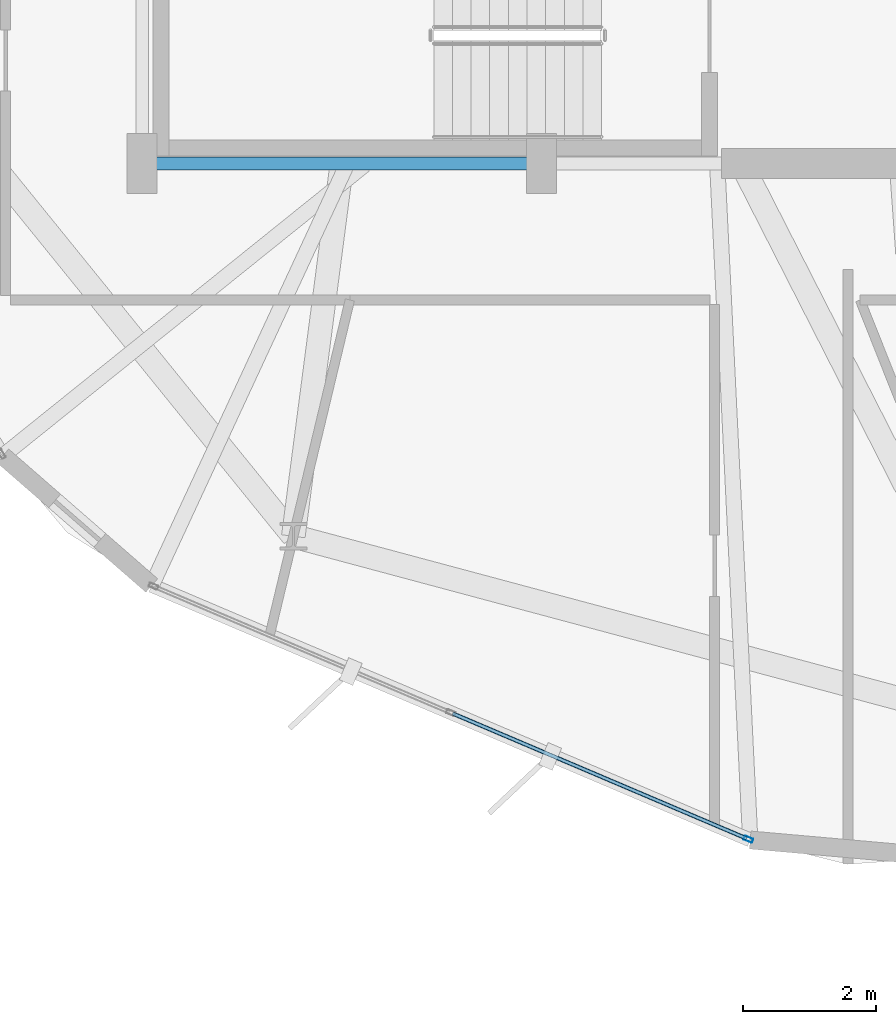
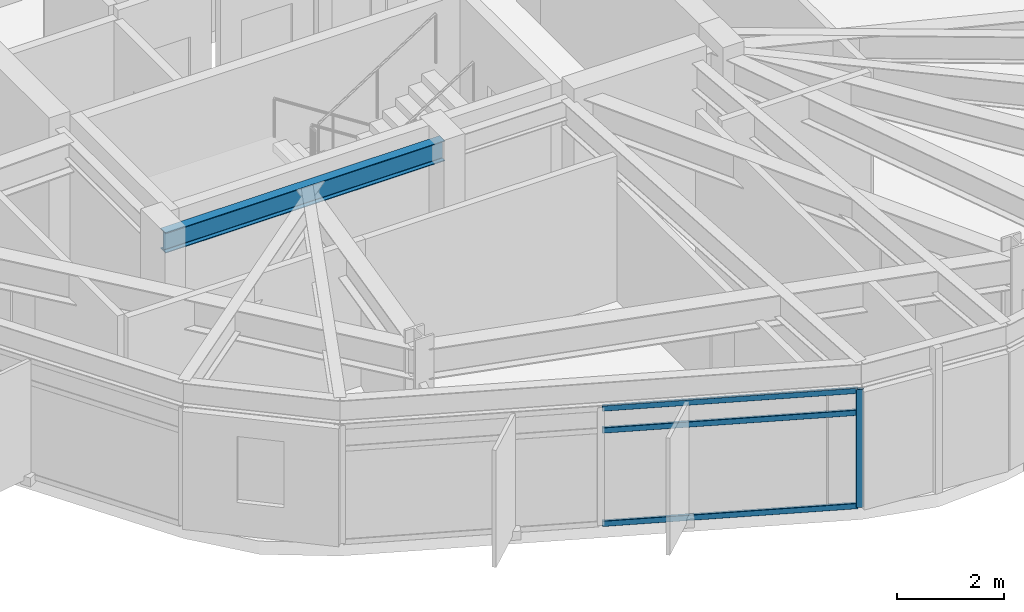
# One storey, part 4 of 27: 4 members, 1 beam, 1 element without a shape of its own.
"""IFC4 building model written with IfcOpenShell, lengths in metres."""

import ifcopenshell
import ifcopenshell.guid

model = None  # the IFC model being written
_history = None  # IfcOwnerHistory: only IFC2X3 demands one
_inside = {}  # id of a spatial element -> (the spatial element, [elements in it])
_under = {}  # id of a project, library or spatial element -> (it, [spatial elements below it])
_declared = {}  # id of a project -> (the project, [libraries it declares])
_typed = {}  # id of a type object -> (the type object, [elements of that type])
_made_of = {}  # id of a material, layer set ... -> (it, [elements and type objects made of it])


def new_model(schema):
    """Start an empty IFC model of exactly this schema.

    Asked for "IFC4X3", IfcOpenShell would pick the latest addendum, in which some entities
    have other attributes; the version numbers below select the first issue.
    IFC2X3 requires an IfcOwnerHistory on every rooted entity: one is made here for all.
    """
    global model, _history
    if schema == "IFC4X3":
        model = ifcopenshell.file(schema_version=(4, 3, 0, 0))
    else:
        model = ifcopenshell.file(schema=schema)
    _inside.clear()
    _under.clear()
    _declared.clear()
    _typed.clear()
    _made_of.clear()
    _history = None
    if model.schema == "IFC2X3":
        org = make("IfcOrganization", Name="unknown")
        user = make(
            "IfcPersonAndOrganization",
            ThePerson=make("IfcPerson", FamilyName="unknown"),
            TheOrganization=org,
        )
        app = make(
            "IfcApplication",
            ApplicationDeveloper=org,
            Version="unknown",
            ApplicationFullName="unknown",
            ApplicationIdentifier="unknown",
        )
        _history = make(
            "IfcOwnerHistory",
            OwningUser=user,
            OwningApplication=app,
            ChangeAction="ADDED",
            CreationDate=0,
        )
    return model


def make(cls, **values):
    """One entity of the class cls with the attributes given. An attribute that is None is left unset."""
    return model.create_entity(
        cls, **{name: value for name, value in values.items() if value is not None}
    )


def rooted(cls, **values):
    """An entity with a GlobalId (a new one), such as an element, a storey or a relation."""
    return make(cls, GlobalId=ifcopenshell.guid.new(), OwnerHistory=_history, **values)


def si_unit(unit_type, name, prefix=None):
    """IfcSIUnit, for example si_unit("LENGTHUNIT", "METRE", prefix="MILLI")."""
    return make("IfcSIUnit", UnitType=unit_type, Prefix=prefix, Name=name)


def assignment(units):
    """IfcUnitAssignment: the units of a project."""
    return None if units is None else make("IfcUnitAssignment", Units=units)


def point(xyz):
    """IfcCartesianPoint."""
    return None if xyz is None else make("IfcCartesianPoint", Coordinates=xyz)


def direction(xyz):
    """IfcDirection."""
    return None if xyz is None else make("IfcDirection", DirectionRatios=xyz)


def frame(location, z_axis=None, x_axis=None):
    """IfcAxis2Placement3D, a coordinate frame: its origin and axes. An axis left out is left unset."""
    return make(
        "IfcAxis2Placement3D",
        Location=point(location),
        Axis=direction(z_axis),
        RefDirection=direction(x_axis),
    )


def frame_2d(location, x_axis=None):
    """IfcAxis2Placement2D, a coordinate frame in the plane: its origin and x axis."""
    return make(
        "IfcAxis2Placement2D", Location=point(location), RefDirection=direction(x_axis)
    )


def origin():
    """The frame at (0, 0, 0) with its axes left unset."""
    return frame((0.0, 0.0, 0.0))


def origin_2d():
    """The frame at (0, 0) in the plane with its x axis left unset."""
    return frame_2d((0.0, 0.0))


def place(relative_to, where):
    """IfcLocalPlacement: puts the frame where relative to a parent placement (None: the world)."""
    return make(
        "IfcLocalPlacement", PlacementRelTo=relative_to, RelativePlacement=where
    )


def context(
    kind, dimensions, precision=None, world=None, true_north=None, identifier=None
):
    """IfcGeometricRepresentationContext, for example the 3D "Model" context."""
    return make(
        "IfcGeometricRepresentationContext",
        ContextIdentifier=identifier,
        ContextType=kind,
        CoordinateSpaceDimension=dimensions,
        Precision=precision,
        WorldCoordinateSystem=world,
        TrueNorth=true_north,
    )


def subcontext(parent, identifier, kind, view, scale=None):
    """IfcGeometricRepresentationSubContext, for example "Body" below "Model"."""
    return make(
        "IfcGeometricRepresentationSubContext",
        ContextIdentifier=identifier,
        ContextType=kind,
        ParentContext=parent,
        TargetScale=scale,
        TargetView=view,
    )


def project(units=None, contexts=None):
    """IfcProject with its units and contexts."""
    return rooted(
        "IfcProject",
        Name="project",
        RepresentationContexts=contexts,
        UnitsInContext=assignment(units),
    )


def spatial(cls, under=None, at=None, **own):
    """A site, building, storey or space (cls), placed at a placement, below another one or the project."""
    s = rooted(cls, ObjectPlacement=at, **own)
    if under is not None:
        _under.setdefault(under.id(), (under, []))[1].append(s)
    return s


def profile(cls, at=None, kind="AREA", **sizes):
    """A parametric profile (cls). Its sizes go by their IFC names, for example OverallWidth=200.0."""
    return make(cls, ProfileType=kind, Position=at, **sizes)


def hollow_rectangle(**sizes):
    """IfcRectangleHollowProfileDef."""
    return profile("IfcRectangleHollowProfileDef", **sizes)


def i_section(**sizes):
    """IfcIShapeProfileDef."""
    return profile("IfcIShapeProfileDef", **sizes)


def extrude(swept, where, along, depth):
    """IfcExtrudedAreaSolid: the profile swept, set in the frame where, extruded along a direction by depth."""
    return make(
        "IfcExtrudedAreaSolid",
        SweptArea=swept,
        Position=where,
        ExtrudedDirection=direction(along),
        Depth=depth,
    )


def shape(context_of_items, identifier, shape_type, items):
    """IfcShapeRepresentation: the items that make up one representation, for example the "Body"."""
    return make(
        "IfcShapeRepresentation",
        ContextOfItems=context_of_items,
        RepresentationIdentifier=identifier,
        RepresentationType=shape_type,
        Items=items,
    )


def material(Name=None, Category=None):
    """IfcMaterial."""
    return make("IfcMaterial", Name=Name, Category=Category)


def layer(
    of_material, thickness, ventilated=None, Name=None, Category=None, Priority=None
):
    """IfcMaterialLayer: one layer of a wall or slab, of a material (None: an air gap)."""
    return make(
        "IfcMaterialLayer",
        Material=of_material,
        LayerThickness=thickness,
        IsVentilated=ventilated,
        Name=Name,
        Category=Category,
        Priority=Priority,
    )


def layer_set(layers, Name=None):
    """IfcMaterialLayerSet."""
    return make("IfcMaterialLayerSet", MaterialLayers=layers, LayerSetName=Name)


def material_profile(
    of_material, cross_section, Name=None, Category=None, Priority=None
):
    """IfcMaterialProfile: a cross section and its material."""
    return make(
        "IfcMaterialProfile",
        Name=Name,
        Material=of_material,
        Profile=cross_section,
        Priority=Priority,
        Category=Category,
    )


def profile_set(profiles, Name=None, composite=None):
    """IfcMaterialProfileSet."""
    return make(
        "IfcMaterialProfileSet",
        Name=Name,
        MaterialProfiles=profiles,
        CompositeProfile=composite,
    )


def made_of(thing, what):
    """Note that an element or type object is made of a material, layer set ...; save() writes the relation."""
    if what is not None:
        _made_of.setdefault(what.id(), (what, []))[1].append(thing)
    return thing


def type_object(cls, material=None, **own):
    """A type object (cls), such as IfcWallType, which elements share."""
    return made_of(rooted(cls, **own), material)


def element(
    cls,
    number,
    at=None,
    inside=None,
    cuts=None,
    type_object=None,
    material=None,
    context=None,
    identifier="Body",
    shape_type=None,
    held_by="IfcProductDefinitionShape",
    body=None,
    shapes=None,
    **own,
):
    """One element of the class cls, such as IfcWall. Its Tag is "e" and its number.

    at: its placement. inside: the storey or other place that contains it. cuts: it is an
    opening in that element (IfcRelVoidsElement). A single representation is given by context,
    identifier, shape_type and body (its items); several are given by shapes. held_by: the class
    of the entity that holds the representations. save() writes the other relations.
    """
    e = rooted(cls, Tag="e%d" % number, ObjectPlacement=at, **own)
    if body is not None:
        shapes = [shape(context, identifier, shape_type, body)]
    if shapes is not None:
        e.Representation = make(held_by, Representations=shapes)
    if inside is not None:
        _inside.setdefault(inside.id(), (inside, []))[1].append(e)
    if cuts is not None:
        rooted(
            "IfcRelVoidsElement", RelatingBuildingElement=cuts, RelatedOpeningElement=e
        )
    if type_object is not None:
        _typed.setdefault(type_object.id(), (type_object, []))[1].append(e)
    return made_of(e, material)


def aggregate(whole, parts):
    """IfcRelAggregates: a whole, such as a stair, and the parts it consists of."""
    return rooted("IfcRelAggregates", RelatingObject=whole, RelatedObjects=parts)


def save(model, path):
    """Write the relations noted so far, then the file.

    IfcRelAggregates (storeys below a building ...), IfcRelContainedInSpatialStructure (elements
    in a storey), IfcRelDefinesByType, IfcRelAssociatesMaterial and IfcRelDeclares: one each for
    every whole, place, type object, material and project.
    """
    for whole, parts in _under.values():
        aggregate(whole, parts)
    for where, things in _inside.values():
        rooted(
            "IfcRelContainedInSpatialStructure",
            RelatedElements=things,
            RelatingStructure=where,
        )
    for kind, things in _typed.values():
        rooted("IfcRelDefinesByType", RelatedObjects=things, RelatingType=kind)
    for what, things in _made_of.values():
        rooted("IfcRelAssociatesMaterial", RelatedObjects=things, RelatingMaterial=what)
    for by, libraries in _declared.values():
        rooted("IfcRelDeclares", RelatingContext=by, RelatedDefinitions=libraries)
    model.write(path)


model = new_model("IFC4")

# Units and contexts
model_context = context("Model", 3, precision=1e-05, world=origin(), true_north=direction((0.0, 1.0)))
body_context = subcontext(model_context, "Body", "Model", "MODEL_VIEW")
ifc_project = project(units=[si_unit("LENGTHUNIT", "METRE"), si_unit("AREAUNIT", "SQUARE_METRE"), si_unit("VOLUMEUNIT", "CUBIC_METRE"), si_unit("PLANEANGLEUNIT", "RADIAN"), si_unit("MASSUNIT", "GRAM", prefix="KILO")], contexts=[model_context])

# Site, building, storey
site_placement = place(None, origin())
site = spatial("IfcSite", under=ifc_project, at=site_placement, CompositionType="ELEMENT")
building_placement = place(site_placement, origin())
building = spatial("IfcBuilding", under=site, at=building_placement, Name="Soratama Intermodal Tower", CompositionType="ELEMENT")
storey_placement = place(building_placement, frame((0.0, 0.0, 212.199951171875)))
storey = spatial("IfcBuildingStorey", under=building, at=storey_placement, Name="L53", CompositionType="ELEMENT", Elevation=212.199951171875)

# Beam
ifc_material_1 = material(Name="Structural steel ASTM A992 Grade 50", Category="steel")
ifc_material_profile_1 = material_profile(ifc_material_1, i_section(OverallWidth=0.19091796875, OverallDepth=0.4599609375, WebThickness=0.010009765625, FlangeThickness=0.01611328125, FilletRadius=0.010986328125, at=origin_2d()), Name="W18X55")
ifc_profile_set_1 = profile_set([ifc_material_profile_1], Name="Structural steel ASTM A992 Grade 50")
beam_type = type_object("IfcBeamType", Name="BM-FLR-W18X55", PredefinedType="BEAM", material=ifc_profile_set_1)
beam_placement = place(storey_placement, frame((32.60009765625, 15.0, 3.070068359375), z_axis=(1.0, 0.0, 0.0), x_axis=(0.0, 1.0, 0.0)))
element("IfcBeam", 1, at=beam_placement, inside=storey, type_object=beam_type, Name="BM-L53-CRING-01", PredefinedType="BEAM", context=body_context, shape_type="SweptSolid", body=[
    extrude(i_section(OverallWidth=0.19091796875, OverallDepth=0.4599609375, WebThickness=0.010009765625, FlangeThickness=0.01611328125, FilletRadius=0.010986328125, at=origin_2d()), origin(), (0.0, 0.0, 1.0), 6.0),
])

# Curtain wall, members
ifc_material_2 = material(Name="Double-glazed aluminium curtain wall", Category="aluminium")
ifc_layer = layer(ifc_material_2, 0.159912109375)
ifc_layer_set = layer_set([ifc_layer], Name="Double-glazed aluminium curtain wall")
curtain_wall_type = type_object("IfcCurtainWallType", Name="CW-SYS-5", PredefinedType="NOTDEFINED", material=ifc_layer_set)
curtain_wall_placement = place(storey_placement, origin())
curtain_wall = element("IfcCurtainWall", 2, at=curtain_wall_placement, inside=storey, type_object=curtain_wall_type, Name="L53 Faceted Curtain Wall F06", PredefinedType="NOTDEFINED")
ifc_material_3 = material(Name="Anodised aluminium AA 6063-T6", Category="aluminium")
ifc_material_profile_2 = material_profile(ifc_material_3, hollow_rectangle(XDim=0.06494140625, YDim=0.139892578125, WallThickness=0.0048828125, InnerFilletRadius=0.0048828125, OuterFilletRadius=0.010009765625, at=origin_2d()), Name="CWM140X65X5")
ifc_profile_set_2 = profile_set([ifc_material_profile_2], Name="Anodised aluminium AA 6063-T6")
member_type_1 = type_object("IfcMemberType", Name="MT-CWM-5", PredefinedType="MULLION", material=ifc_profile_set_2)
member_1_placement = place(storey_placement, frame((41.705078125, 4.849365234375, 0.0), z_axis=(0.0, 0.0, 1.0), x_axis=(0.391376465221, 0.920230657211, 0.0)))
member_1 = element("IfcMember", 3, at=member_1_placement, type_object=member_type_1, Name="CW-5 mullion 3", PredefinedType="MULLION", context=body_context, shape_type="SweptSolid", body=[
    extrude(hollow_rectangle(XDim=0.06494140625, YDim=0.139892578125, WallThickness=0.0048828125, InnerFilletRadius=0.0048828125, OuterFilletRadius=0.010009765625, at=origin_2d()), origin(), (0.0, 0.0, 1.0), 2.678955078125),
])
ifc_material_4 = material(Name="Anodised aluminium AA 6063-T6", Category="aluminium")
ifc_material_profile_3 = material_profile(ifc_material_4, hollow_rectangle(XDim=0.06005859375, YDim=0.1298828125, WallThickness=0.0048828125, InnerFilletRadius=0.0048828125, OuterFilletRadius=0.010009765625, at=origin_2d()), Name="CWT130X60X5")
ifc_profile_set_3 = profile_set([ifc_material_profile_3], Name="Anodised aluminium AA 6063-T6")
member_type_2 = type_object("IfcMemberType", Name="TT-CWT-2", PredefinedType="USERDEFINED", material=ifc_profile_set_3)
member_2_placement = place(storey_placement, frame((37.265625, 6.737548828125, 0.030029296875), z_axis=(0.920224105544, -0.391391869582, 0.0), x_axis=(0.391391869582, 0.920224105544, 0.0)))
member_2 = element("IfcMember", 4, at=member_2_placement, type_object=member_type_2, Name="CW-5 transom 2.1", ObjectType="TRANSOM", PredefinedType="USERDEFINED", context=body_context, shape_type="SweptSolid", body=[
    extrude(hollow_rectangle(XDim=0.06005859375, YDim=0.1298828125, WallThickness=0.0048828125, InnerFilletRadius=0.0048828125, OuterFilletRadius=0.010009765625, at=origin_2d()), origin(), (0.0, 0.0, 1.0), 4.79443359375),
])
member_3_placement = place(storey_placement, frame((37.265625, 6.737548828125, 2.150146484375), z_axis=(0.920224105544, -0.391391869582, 0.0), x_axis=(0.391391869582, 0.920224105544, 0.0)))
member_3 = element("IfcMember", 5, at=member_3_placement, type_object=member_type_2, Name="CW-5 transom 2.2", ObjectType="TRANSOM", PredefinedType="USERDEFINED", context=body_context, shape_type="SweptSolid", body=[
    extrude(hollow_rectangle(XDim=0.06005859375, YDim=0.1298828125, WallThickness=0.0048828125, InnerFilletRadius=0.0048828125, OuterFilletRadius=0.010009765625, at=origin_2d()), origin(), (0.0, 0.0, 1.0), 4.79443359375),
])
member_4_placement = place(storey_placement, frame((37.265625, 6.737548828125, 2.649169921875), z_axis=(0.920224105544, -0.391391869582, 0.0), x_axis=(0.391391869582, 0.920224105544, 0.0)))
member_4 = element("IfcMember", 6, at=member_4_placement, type_object=member_type_2, Name="CW-5 transom 2.3", ObjectType="TRANSOM", PredefinedType="USERDEFINED", context=body_context, shape_type="SweptSolid", body=[
    extrude(hollow_rectangle(XDim=0.06005859375, YDim=0.1298828125, WallThickness=0.0048828125, InnerFilletRadius=0.0048828125, OuterFilletRadius=0.010009765625, at=origin_2d()), origin(), (0.0, 0.0, 1.0), 4.79443359375),
])
aggregate(curtain_wall, [member_1, member_2, member_3, member_4])

save(model, "model.ifc")
